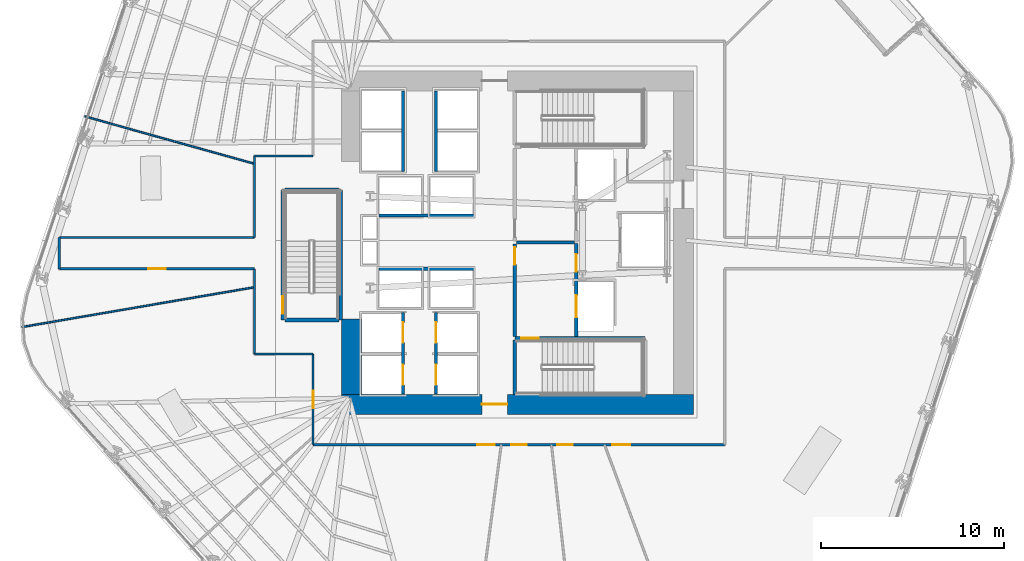
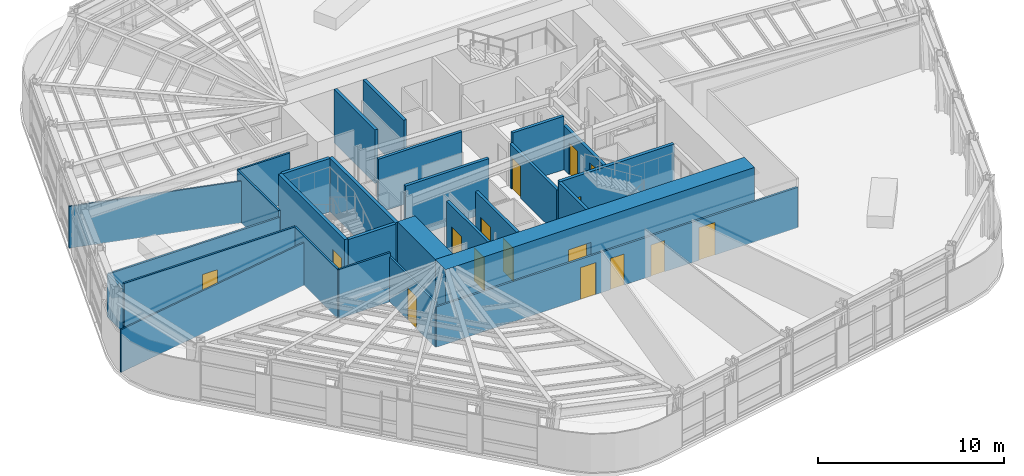
# One storey, part 8 of 17: 28 walls, 16 doors, 16 openings.
"""IFC4 building model written with IfcOpenShell, lengths in metres."""

from ifc_helpers import new_model, si_unit, direction, frame, frame_2d, origin, place, context, subcontext, project, spatial, rectangle, extrude, material, layer, layer_set, type_object, element, fill, save


model = new_model("IFC4")

# Units and contexts
model_context = context("Model", 3, precision=1e-05, world=origin(), true_north=direction((0.0, 1.0)))
body_context = subcontext(model_context, "Body", "Model", "MODEL_VIEW")
ifc_project = project(units=[si_unit("LENGTHUNIT", "METRE"), si_unit("AREAUNIT", "SQUARE_METRE"), si_unit("VOLUMEUNIT", "CUBIC_METRE"), si_unit("PLANEANGLEUNIT", "RADIAN"), si_unit("MASSUNIT", "GRAM", prefix="KILO")], contexts=[model_context])

# Site, building, storey
site_placement = place(None, origin())
site = spatial("IfcSite", under=ifc_project, at=site_placement, CompositionType="ELEMENT")
building_placement = place(site_placement, origin())
building = spatial("IfcBuilding", under=site, at=building_placement, Name="Valkerne Bourse Tower", CompositionType="ELEMENT")
storey_placement = place(building_placement, frame((0.0, 0.0, 73.39990234375)))
storey = spatial("IfcBuildingStorey", under=building, at=storey_placement, Name="L18", CompositionType="ELEMENT", Elevation=73.39990234375)

# Wall, opening, door
ifc_material_1 = material(Name="Concrete C70/85", Category="concrete")
ifc_layer_1 = layer(ifc_material_1, 1.10009765625)
ifc_layer_set_1 = layer_set([ifc_layer_1], Name="Concrete C70/85")
wall_type_1 = type_object("IfcWallType", Name="W-CORE-1100", PredefinedType="SHEAR", material=ifc_layer_set_1)
wall_1_placement = place(storey_placement, frame((37.199951171875, 18.050048828125, 0.0), z_axis=(0.0, 0.0, 1.0), x_axis=(1.0, 0.0, 0.0)))
wall_1 = element("IfcWall", 1, at=wall_1_placement, inside=storey, type_object=wall_type_1, Name="L18 Core Shear Wall SOUTH", PredefinedType="SHEAR", context=body_context, shape_type="SweptSolid", body=[
    extrude(rectangle(XDim=19.199951171875, YDim=1.10009765625, at=frame_2d((9.60009765625, 0.0))), origin(), (0.0, 0.0, 1.0), 3.52001953125),
])
opening_1_placement = place(wall_1_placement, frame((7.64990234375, 0.0, 0.0)))
opening_1 = element("IfcOpeningElement", 2, at=opening_1_placement, cuts=wall_1, Name="Opening D-PL-1400", PredefinedType="OPENING", context=body_context, shape_type="SweptSolid", body=[
    extrude(rectangle(XDim=1.39990234375, YDim=2.14990234375, at=frame_2d((0.699951171875, 1.074951171875))), frame((0.0, 0.56005859375, 0.0), z_axis=(0.0, -1.0, 0.0), x_axis=(1.0, 0.0, 0.0)), (0.0, 0.0, 1.0), 1.1201171875),
])
ifc_material_2 = material(Name="Galvanised Painted Steel", Category="steel")
door_type_1 = type_object("IfcDoorType", Name="DR-PLT-1400", OperationType="DOUBLE_DOOR_SINGLE_SWING", PredefinedType="DOOR", material=ifc_material_2)
door_1_placement = place(opening_1_placement, origin())
door_1 = element("IfcDoor", 3, at=door_1_placement, inside=storey, type_object=door_type_1, Name="L18 South Passenger Lift Hall Fire Door", OperationType="DOUBLE_DOOR_SINGLE_SWING", OverallHeight=2.14990234375, OverallWidth=1.39990234375, PredefinedType="DOOR", context=body_context, shape_type="SweptSolid", body=[
    extrude(rectangle(XDim=1.39990234375, YDim=2.14990234375, at=frame_2d((0.699951171875, 1.074951171875))), frame((0.0, 0.02490234375, 0.0), z_axis=(0.0, -1.0, 0.0), x_axis=(1.0, 0.0, 0.0)), (0.0, 0.0, 1.0), 0.050048828125),
])
fill(opening_1, door_1)

# Wall
wall_2_placement = place(storey_placement, frame((37.75, 18.60009765625, 0.0), z_axis=(0.0, 0.0, 1.0), x_axis=(0.0, 1.0, 0.0)))
element("IfcWall", 4, at=wall_2_placement, inside=storey, type_object=wall_type_1, Name="L18 Core Shear Wall WEST-S", PredefinedType="SHEAR", context=body_context, shape_type="SweptSolid", body=[
    extrude(rectangle(XDim=4.099853515625, YDim=1.10009765625, at=frame_2d((2.0498046875, 0.0))), origin(), (0.0, 0.0, 1.0), 3.52001953125),
])

# Wall, openings, doors
ifc_material_3 = material(Name="Gypsum Board Steel-Stud Partition", Category="steel")
ifc_layer_2 = layer(ifc_material_3, 0.117919921875)
ifc_layer_set_2 = layer_set([ifc_layer_2], Name="Gypsum Board Steel-Stud Partition")
wall_type_2 = type_object("IfcWallType", Name="W-CORR-140", PredefinedType="PARTITIONING", material=ifc_layer_set_2)
wall_3_placement = place(storey_placement, frame((58.10009765625, 15.85009765625, 0.0), z_axis=(0.0, 0.0, 1.0), x_axis=(-1.0, 0.0, 0.0)))
wall_3 = element("IfcWall", 5, at=wall_3_placement, inside=storey, type_object=wall_type_2, Name="L18 Corridor Enclosure Wall", PredefinedType="PARTITIONING", context=body_context, shape_type="SweptSolid", body=[
    extrude(rectangle(XDim=22.4501953125, YDim=0.117919921875, at=frame_2d((11.22509765625, 0.0))), origin(), (0.0, 0.0, 1.0), 2.651611328125),
])
opening_2_placement = place(wall_3_placement, frame((8.27490234375, 0.0, 0.0)))
opening_2 = element("IfcOpeningElement", 6, at=opening_2_placement, cuts=wall_3, Name="Opening D-WC-900", PredefinedType="OPENING", context=body_context, shape_type="SweptSolid", body=[
    extrude(rectangle(XDim=0.860107421875, YDim=2.050048828125, at=frame_2d((0.43017578125, 1.02490234375))), frame((0.0, 0.06884765625, 0.0), z_axis=(0.0, -1.0, 0.0), x_axis=(1.0, 0.0, 0.0)), (0.0, 0.0, 1.0), 0.137939453125),
])
opening_3_placement = place(wall_3_placement, frame((10.794921875, 0.0, 0.0)))
opening_3 = element("IfcOpeningElement", 7, at=opening_3_placement, cuts=wall_3, Name="Opening D-WC-900", PredefinedType="OPENING", context=body_context, shape_type="SweptSolid", body=[
    extrude(rectangle(XDim=0.860107421875, YDim=2.050048828125, at=frame_2d((0.43017578125, 1.02490234375))), frame((0.0, 0.06884765625, 0.0), z_axis=(0.0, -1.0, 0.0), x_axis=(1.0, 0.0, 0.0)), (0.0, 0.0, 1.0), 0.137939453125),
])
opening_4_placement = place(wall_3_placement, frame((12.550048828125, 0.0, 0.0)))
opening_4 = element("IfcOpeningElement", 8, at=opening_4_placement, cuts=wall_3, Name="Opening D-OF-950", PredefinedType="OPENING", context=body_context, shape_type="SweptSolid", body=[
    extrude(rectangle(XDim=0.949951171875, YDim=2.10009765625, at=frame_2d((0.47509765625, 1.050048828125))), frame((0.0, 0.06884765625, 0.0), z_axis=(0.0, -1.0, 0.0), x_axis=(1.0, 0.0, 0.0)), (0.0, 0.0, 1.0), 0.137939453125),
])
opening_5_placement = place(wall_3_placement, frame((5.14501953125, 0.0, 0.0)))
opening_5 = element("IfcOpeningElement", 9, at=opening_5_placement, cuts=wall_3, Name="Opening D-MG-1000", PredefinedType="OPENING", context=body_context, shape_type="SweptSolid", body=[
    extrude(rectangle(XDim=1.0, YDim=2.14990234375, at=frame_2d((0.5, 1.074951171875))), frame((0.0, 0.06884765625, 0.0), z_axis=(0.0, -1.0, 0.0), x_axis=(1.0, 0.0, 0.0)), (0.0, 0.0, 1.0), 0.137939453125),
])
ifc_material_4 = material(Name="Laminated Tempered Safety Glass", Category="glass")
door_type_2 = type_object("IfcDoorType", Name="DR-MTG-1000", OperationType="NOTDEFINED", PredefinedType="DOOR", material=ifc_material_4)
door_2_placement = place(opening_5_placement, origin())
door_2 = element("IfcDoor", 10, at=door_2_placement, inside=storey, type_object=door_type_2, Name="L18 L18 Client Strategy Conference Room 8 Door", OperationType="SINGLE_SWING_RIGHT", OverallHeight=2.14990234375, OverallWidth=1.0, PredefinedType="DOOR", context=body_context, shape_type="SweptSolid", body=[
    extrude(rectangle(XDim=1.0, YDim=2.14990234375, at=frame_2d((0.5, 1.074951171875))), frame((0.0, 0.02490234375, 0.0), z_axis=(0.0, -1.0, 0.0), x_axis=(1.0, 0.0, 0.0)), (0.0, 0.0, 1.0), 0.050048828125),
])
fill(opening_5, door_2)
ifc_material_5 = material(Name="Architectural White Oak Timber", Category="wood")
door_type_3 = type_object("IfcDoorType", Name="DR-OFF-950", OperationType="NOTDEFINED", PredefinedType="DOOR", material=ifc_material_5)
door_3_placement = place(opening_4_placement, origin())
door_3 = element("IfcDoor", 11, at=door_3_placement, inside=storey, type_object=door_type_3, Name="L18 L18 Hospitality Catering Kitchen 6 Door", OperationType="SINGLE_SWING_LEFT", OverallHeight=2.10009765625, OverallWidth=0.949951171875, PredefinedType="DOOR", context=body_context, shape_type="SweptSolid", body=[
    extrude(rectangle(XDim=0.949951171875, YDim=2.10009765625, at=frame_2d((0.47509765625, 1.050048828125))), frame((0.0, 0.02490234375, 0.0), z_axis=(0.0, -1.0, 0.0), x_axis=(1.0, 0.0, 0.0)), (0.0, 0.0, 1.0), 0.050048828125),
])
fill(opening_4, door_3)
door_type_4 = type_object("IfcDoorType", Name="DR-WC-900", OperationType="NOTDEFINED", PredefinedType="DOOR", material=ifc_material_5)
door_4_placement = place(opening_2_placement, origin())
door_4 = element("IfcDoor", 12, at=door_4_placement, inside=storey, type_object=door_type_4, Name="L18 L18 Men Bathroom WC 1 Door", OperationType="SINGLE_SWING_LEFT", OverallHeight=2.050048828125, OverallWidth=0.860107421875, PredefinedType="DOOR", context=body_context, shape_type="SweptSolid", body=[
    extrude(rectangle(XDim=0.860107421875, YDim=2.050048828125, at=frame_2d((0.43017578125, 1.02490234375))), frame((0.0, 0.02490234375, 0.0), z_axis=(0.0, -1.0, 0.0), x_axis=(1.0, 0.0, 0.0)), (0.0, 0.0, 1.0), 0.050048828125),
])
fill(opening_2, door_4)
door_5_placement = place(opening_3_placement, origin())
door_5 = element("IfcDoor", 13, at=door_5_placement, inside=storey, type_object=door_type_4, Name="L18 L18 Women Restroom & Shower WC 2 Door", OperationType="SINGLE_SWING_LEFT", OverallHeight=2.050048828125, OverallWidth=0.860107421875, PredefinedType="DOOR", context=body_context, shape_type="SweptSolid", body=[
    extrude(rectangle(XDim=0.860107421875, YDim=2.050048828125, at=frame_2d((0.43017578125, 1.02490234375))), frame((0.0, 0.02490234375, 0.0), z_axis=(0.0, -1.0, 0.0), x_axis=(1.0, 0.0, 0.0)), (0.0, 0.0, 1.0), 0.050048828125),
])
fill(opening_3, door_5)

# Wall, opening, door
wall_4_placement = place(storey_placement, frame((35.64990234375, 15.85009765625, 0.0), z_axis=(0.0, 0.0, 1.0), x_axis=(0.0, 1.0, 0.0)))
wall_4 = element("IfcWall", 14, at=wall_4_placement, inside=storey, type_object=wall_type_2, Name="L18 Corridor Enclosure Wall", PredefinedType="PARTITIONING", context=body_context, shape_type="SweptSolid", body=[
    extrude(rectangle(XDim=4.949951171875, YDim=0.117919921875, at=frame_2d((2.47509765625, 0.0))), origin(), (0.0, 0.0, 1.0), 2.96142578125),
])
opening_6_placement = place(wall_4_placement, frame((2.0, 0.0, 0.0)))
opening_6 = element("IfcOpeningElement", 15, at=opening_6_placement, cuts=wall_4, Name="Opening D-OF-950", PredefinedType="OPENING", context=body_context, shape_type="SweptSolid", body=[
    extrude(rectangle(XDim=0.949951171875, YDim=2.10009765625, at=frame_2d((0.47509765625, 1.050048828125))), frame((0.0, 0.06884765625, 0.0), z_axis=(0.0, -1.0, 0.0), x_axis=(1.0, 0.0, 0.0)), (0.0, 0.0, 1.0), 0.137939453125),
])
door_6_placement = place(opening_6_placement, origin())
door_6 = element("IfcDoor", 16, at=door_6_placement, inside=storey, type_object=door_type_3, Name="L18 L18 VIP Client Concierge Reception 4 Door", OperationType="SINGLE_SWING_LEFT", OverallHeight=2.10009765625, OverallWidth=0.949951171875, PredefinedType="DOOR", context=body_context, shape_type="SweptSolid", body=[
    extrude(rectangle(XDim=0.949951171875, YDim=2.10009765625, at=frame_2d((0.47509765625, 1.050048828125))), frame((0.0, 0.02490234375, 0.0), z_axis=(0.0, -1.0, 0.0), x_axis=(1.0, 0.0, 0.0)), (0.0, 0.0, 1.0), 0.050048828125),
])
fill(opening_6, door_6)

# Walls
wall_5_placement = place(storey_placement, frame((35.64990234375, 20.800048828125, 0.0), z_axis=(0.0, 0.0, 1.0), x_axis=(-1.0, 0.0, 0.0)))
element("IfcWall", 17, at=wall_5_placement, inside=storey, type_object=wall_type_2, Name="L18 Corridor Enclosure Wall", PredefinedType="PARTITIONING", context=body_context, shape_type="SweptSolid", body=[
    extrude(rectangle(XDim=3.199951171875, YDim=0.117919921875, at=frame_2d((1.60009765625, 0.0))), origin(), (0.0, 0.0, 1.0), 3.22021484375),
])
wall_6_placement = place(storey_placement, frame((32.449951171875, 20.800048828125, 0.0), z_axis=(0.0, 0.0, 1.0), x_axis=(0.0, 1.0, 0.0)))
element("IfcWall", 18, at=wall_6_placement, inside=storey, type_object=wall_type_2, Name="L18 Corridor Enclosure Wall", PredefinedType="PARTITIONING", context=body_context, shape_type="SweptSolid", body=[
    extrude(rectangle(XDim=4.64990234375, YDim=0.117919921875, at=frame_2d((2.324951171875, 0.0))), origin(), (0.0, 0.0, 1.0), 3.22021484375),
])

# Wall, opening, door
wall_7_placement = place(storey_placement, frame((32.449951171875, 25.449951171875, 0.0), z_axis=(0.0, 0.0, 1.0), x_axis=(-1.0, 0.0, 0.0)))
wall_7 = element("IfcWall", 19, at=wall_7_placement, inside=storey, type_object=wall_type_2, Name="L18 Corridor Enclosure Wall", PredefinedType="PARTITIONING", context=body_context, shape_type="SweptSolid", body=[
    extrude(rectangle(XDim=10.64990234375, YDim=0.117919921875, at=frame_2d((5.324951171875, 0.0))), origin(), (0.0, 0.0, 1.0), 3.22021484375),
])
opening_7_placement = place(wall_7_placement, frame((4.85009765625, 0.0, 0.0)))
opening_7 = element("IfcOpeningElement", 20, at=opening_7_placement, cuts=wall_7, Name="Opening D-OF-950", PredefinedType="OPENING", context=body_context, shape_type="SweptSolid", body=[
    extrude(rectangle(XDim=0.949951171875, YDim=2.10009765625, at=frame_2d((0.47509765625, 1.050048828125))), frame((0.0, 0.06884765625, 0.0), z_axis=(0.0, -1.0, 0.0), x_axis=(1.0, 0.0, 0.0)), (0.0, 0.0, 1.0), 0.137939453125),
])
door_7_placement = place(opening_7_placement, origin())
door_7 = element("IfcDoor", 21, at=door_7_placement, inside=storey, type_object=door_type_3, Name="L18 L18 VIP Client Concierge Reception 3 Door", OperationType="SINGLE_SWING_LEFT", OverallHeight=2.10009765625, OverallWidth=0.949951171875, PredefinedType="DOOR", context=body_context, shape_type="SweptSolid", body=[
    extrude(rectangle(XDim=0.949951171875, YDim=2.10009765625, at=frame_2d((0.47509765625, 1.050048828125))), frame((0.0, 0.02490234375, 0.0), z_axis=(0.0, -1.0, 0.0), x_axis=(1.0, 0.0, 0.0)), (0.0, 0.0, 1.0), 0.050048828125),
])
fill(opening_7, door_7)

# Walls
wall_8_placement = place(storey_placement, frame((21.800048828125, 25.449951171875, 0.0), z_axis=(0.0, 0.0, 1.0), x_axis=(0.0, 1.0, 0.0)))
element("IfcWall", 22, at=wall_8_placement, inside=storey, type_object=wall_type_2, Name="L18 Corridor Enclosure Wall", PredefinedType="PARTITIONING", context=body_context, shape_type="SweptSolid", body=[
    extrude(rectangle(XDim=1.699951171875, YDim=0.117919921875, at=frame_2d((0.85009765625, 0.0))), origin(), (0.0, 0.0, 1.0), 2.803955078125),
])
wall_9_placement = place(storey_placement, frame((21.800048828125, 27.14990234375, 0.0), z_axis=(0.0, 0.0, 1.0), x_axis=(1.0, 0.0, 0.0)))
element("IfcWall", 23, at=wall_9_placement, inside=storey, type_object=wall_type_2, Name="L18 Corridor Enclosure Wall", PredefinedType="PARTITIONING", context=body_context, shape_type="SweptSolid", body=[
    extrude(rectangle(XDim=10.64990234375, YDim=0.117919921875, at=frame_2d((5.324951171875, 0.0))), origin(), (0.0, 0.0, 1.0), 2.803955078125),
])
wall_10_placement = place(storey_placement, frame((32.449951171875, 27.14990234375, 0.0), z_axis=(0.0, 0.0, 1.0), x_axis=(0.0, 1.0, 0.0)))
element("IfcWall", 24, at=wall_10_placement, inside=storey, type_object=wall_type_2, Name="L18 Corridor Enclosure Wall", PredefinedType="PARTITIONING", context=body_context, shape_type="SweptSolid", body=[
    extrude(rectangle(XDim=4.4501953125, YDim=0.117919921875, at=frame_2d((2.22509765625, 0.0))), origin(), (0.0, 0.0, 1.0), 3.22021484375),
])
wall_11_placement = place(storey_placement, frame((32.449951171875, 31.60009765625, 0.0), z_axis=(0.0, 0.0, 1.0), x_axis=(1.0, 0.0, 0.0)))
element("IfcWall", 25, at=wall_11_placement, inside=storey, type_object=wall_type_2, Name="L18 Corridor Enclosure Wall", PredefinedType="PARTITIONING", context=body_context, shape_type="SweptSolid", body=[
    extrude(rectangle(XDim=3.199951171875, YDim=0.117919921875, at=frame_2d((1.60009765625, 0.0))), origin(), (0.0, 0.0, 1.0), 3.22021484375),
])
ifc_material_6 = material(Name="Gypsum Fire-Rated Shaftwall", Category="gypsum")
ifc_layer_3 = layer(ifc_material_6, 0.179931640625)
ifc_layer_set_3 = layer_set([ifc_layer_3], Name="Gypsum Fire-Rated Shaftwall")
wall_type_3 = type_object("IfcWallType", Name="W-FSAE-180", PredefinedType="PARTITIONING", material=ifc_layer_set_3)
wall_12_placement = place(storey_placement, frame((46.739990234375, 26.8798828125, 0.0), z_axis=(0.0, 0.0, 1.0), x_axis=(1.0, 0.0, 0.0)))
element("IfcWall", 26, at=wall_12_placement, inside=storey, type_object=wall_type_3, Name="L18 FSAE-1/2 Lobby Dividing Fire Wall", PredefinedType="PARTITIONING", context=body_context, shape_type="SweptSolid", body=[
    extrude(rectangle(XDim=3.169921875, YDim=0.179931640625, at=frame_2d((1.5849609375, 0.0))), origin(), (0.0, 0.0, 1.0), 3.52001953125),
])

# Wall, opening, door
wall_13_placement = place(storey_placement, frame((46.64990234375, 21.75, 0.0), z_axis=(0.0, 0.0, 1.0), x_axis=(0.0, 1.0, 0.0)))
wall_13 = element("IfcWall", 27, at=wall_13_placement, inside=storey, type_object=wall_type_3, Name="L18 FSAE-1 Lobby West Fire Wall", PredefinedType="PARTITIONING", context=body_context, shape_type="SweptSolid", body=[
    extrude(rectangle(XDim=5.050048828125, YDim=0.179931640625, at=frame_2d((2.52490234375, 0.0))), origin(), (0.0, 0.0, 1.0), 2.898193359375),
])
opening_8_placement = place(wall_13_placement, frame((3.919921875, 0.0, 0.0)))
opening_8 = element("IfcOpeningElement", 28, at=opening_8_placement, cuts=wall_13, Name="Opening D-FS-950", PredefinedType="OPENING", context=body_context, shape_type="SweptSolid", body=[
    extrude(rectangle(XDim=0.949951171875, YDim=2.10009765625, at=frame_2d((0.47509765625, 1.050048828125))), frame((0.0, 0.099853515625, 0.0), z_axis=(0.0, -1.0, 0.0), x_axis=(1.0, 0.0, 0.0)), (0.0, 0.0, 1.0), 0.199951171875),
])
door_type_5 = type_object("IfcDoorType", Name="DR-FSAE-950", OperationType="NOTDEFINED", PredefinedType="DOOR", material=ifc_material_2)
door_8_placement = place(opening_8_placement, origin())
door_8 = element("IfcDoor", 29, at=door_8_placement, inside=storey, type_object=door_type_5, Name="L18 FSAE-1 Hall Link Fire Door", OperationType="SINGLE_SWING_RIGHT", OverallHeight=2.10009765625, OverallWidth=0.949951171875, PredefinedType="DOOR", context=body_context, shape_type="SweptSolid", body=[
    extrude(rectangle(XDim=0.949951171875, YDim=2.10009765625, at=frame_2d((0.47509765625, 1.050048828125))), frame((0.0, 0.02490234375, 0.0), z_axis=(0.0, -1.0, 0.0), x_axis=(1.0, 0.0, 0.0)), (0.0, 0.0, 1.0), 0.050048828125),
])
fill(opening_8, door_8)

# Wall, openings, doors
wall_14_placement = place(storey_placement, frame((50.0, 21.75, 0.0), z_axis=(0.0, 0.0, 1.0), x_axis=(0.0, 1.0, 0.0)))
wall_14 = element("IfcWall", 30, at=wall_14_placement, inside=storey, type_object=wall_type_3, Name="L18 FSAE-1 Lobby & Shaft Front Wall", PredefinedType="PARTITIONING", context=body_context, shape_type="SweptSolid", body=[
    extrude(rectangle(XDim=5.090087890625, YDim=0.179931640625, at=frame_2d((2.544921875, 0.0))), origin(), (0.0, 0.0, 1.0), 2.898193359375),
])
opening_9_placement = place(wall_14_placement, frame((1.050048828125, 0.0, 0.0)))
opening_9 = element("IfcOpeningElement", 31, at=opening_9_placement, cuts=wall_14, Name="Opening LD-1200", PredefinedType="OPENING", context=body_context, shape_type="SweptSolid", body=[
    extrude(rectangle(XDim=1.199951171875, YDim=2.14990234375, at=frame_2d((0.60009765625, 1.074951171875))), frame((0.0, 0.099853515625, 0.0), z_axis=(0.0, -1.0, 0.0), x_axis=(1.0, 0.0, 0.0)), (0.0, 0.0, 1.0), 0.199951171875),
])
opening_10_placement = place(wall_14_placement, frame((3.550048828125, 0.0, 0.0)))
opening_10 = element("IfcOpeningElement", 32, at=opening_10_placement, cuts=wall_14, Name="Opening D-FS-950", PredefinedType="OPENING", context=body_context, shape_type="SweptSolid", body=[
    extrude(rectangle(XDim=0.949951171875, YDim=2.10009765625, at=frame_2d((0.47509765625, 1.050048828125))), frame((0.0, 0.099853515625, 0.0), z_axis=(0.0, -1.0, 0.0), x_axis=(1.0, 0.0, 0.0)), (0.0, 0.0, 1.0), 0.199951171875),
])
door_9_placement = place(opening_10_placement, origin())
door_9 = element("IfcDoor", 33, at=door_9_placement, inside=storey, type_object=door_type_5, Name="L18 FSAE-1 Lobby Corridor Fire Door", OperationType="SINGLE_SWING_RIGHT", OverallHeight=2.10009765625, OverallWidth=0.949951171875, PredefinedType="DOOR", context=body_context, shape_type="SweptSolid", body=[
    extrude(rectangle(XDim=0.949951171875, YDim=2.10009765625, at=frame_2d((0.47509765625, 1.050048828125))), frame((0.0, 0.02490234375, 0.0), z_axis=(0.0, -1.0, 0.0), x_axis=(1.0, 0.0, 0.0)), (0.0, 0.0, 1.0), 0.050048828125),
])
fill(opening_10, door_9)
ifc_material_7 = material(Name="Stainless Steel AISI 316", Category="steel")
door_type_6 = type_object("IfcDoorType", Name="DR-LIFT-1200", OperationType="DOUBLE_DOOR_SLIDING", PredefinedType="DOOR", material=ifc_material_7)
door_10_placement = place(opening_9_placement, origin())
door_10 = element("IfcDoor", 34, at=door_10_placement, inside=storey, type_object=door_type_6, Name="L18 FSAE-1 Firefighting Lift Landing Door", OperationType="DOUBLE_DOOR_SLIDING", OverallHeight=2.14990234375, OverallWidth=1.199951171875, PredefinedType="DOOR", context=body_context, shape_type="SweptSolid", body=[
    extrude(rectangle(XDim=1.199951171875, YDim=2.14990234375, at=frame_2d((0.60009765625, 1.074951171875))), frame((0.0, 0.02490234375, 0.0), z_axis=(0.0, -1.0, 0.0), x_axis=(1.0, 0.0, 0.0)), (0.0, 0.0, 1.0), 0.050048828125),
])
fill(opening_9, door_10)

ifc_material_8 = material(Name="CMU Blockwork Masonry 200mm", Category="masonry")
ifc_layer_4 = layer(ifc_material_8, 0.179931640625)
ifc_layer_set_4 = layer_set([ifc_layer_4], Name="CMU Blockwork Masonry 200mm")
wall_type_4 = type_object("IfcWallType", Name="W-LFT-180", PredefinedType="SOLIDWALL", material=ifc_layer_set_4)
wall_15_placement = place(storey_placement, frame((40.550048828125, 18.6201171875, 0.0), z_axis=(0.0, 0.0, 1.0), x_axis=(0.0, 1.0, 0.0)))
wall_15 = element("IfcWall", 35, at=wall_15_placement, inside=storey, type_object=wall_type_4, Name="L18 Low-Zone West Cars Front Wall", PredefinedType="SOLIDWALL", context=body_context, shape_type="SweptSolid", body=[
    extrude(rectangle(XDim=4.429931640625, YDim=0.179931640625, at=frame_2d((2.21484375, 0.0))), origin(), (0.0, 0.0, 1.0), 3.52001953125),
])
opening_11_placement = place(wall_15_placement, frame((0.5, 0.0, 0.0)))
opening_11 = element("IfcOpeningElement", 36, at=opening_11_placement, cuts=wall_15, Name="Opening LD-1100", PredefinedType="OPENING", context=body_context, shape_type="SweptSolid", body=[
    extrude(rectangle(XDim=1.10009765625, YDim=2.14990234375, at=frame_2d((0.550048828125, 1.074951171875))), frame((0.0, 0.099853515625, 0.0), z_axis=(0.0, -1.0, 0.0), x_axis=(1.0, 0.0, 0.0)), (0.0, 0.0, 1.0), 0.199951171875),
])
opening_12_placement = place(wall_15_placement, frame((2.800048828125, 0.0, 0.0)))
opening_12 = element("IfcOpeningElement", 37, at=opening_12_placement, cuts=wall_15, Name="Opening LD-1100", PredefinedType="OPENING", context=body_context, shape_type="SweptSolid", body=[
    extrude(rectangle(XDim=1.10009765625, YDim=2.14990234375, at=frame_2d((0.550048828125, 1.074951171875))), frame((0.0, 0.099853515625, 0.0), z_axis=(0.0, -1.0, 0.0), x_axis=(1.0, 0.0, 0.0)), (0.0, 0.0, 1.0), 0.199951171875),
])
door_type_7 = type_object("IfcDoorType", Name="DR-LIFT-1100", OperationType="DOUBLE_DOOR_SLIDING", PredefinedType="DOOR", material=ifc_material_7)
door_11_placement = place(opening_11_placement, origin())
door_11 = element("IfcDoor", 38, at=door_11_placement, inside=storey, type_object=door_type_7, Name="L18 Passenger Lift PL-L1 Sliding Landing Door", OperationType="DOUBLE_DOOR_SLIDING", OverallHeight=2.14990234375, OverallWidth=1.10009765625, PredefinedType="DOOR", context=body_context, shape_type="SweptSolid", body=[
    extrude(rectangle(XDim=1.10009765625, YDim=2.14990234375, at=frame_2d((0.550048828125, 1.074951171875))), frame((0.0, 0.02490234375, 0.0), z_axis=(0.0, -1.0, 0.0), x_axis=(1.0, 0.0, 0.0)), (0.0, 0.0, 1.0), 0.050048828125),
])
fill(opening_11, door_11)
door_12_placement = place(opening_12_placement, origin())
door_12 = element("IfcDoor", 39, at=door_12_placement, inside=storey, type_object=door_type_7, Name="L18 Passenger Lift PL-L2 Sliding Landing Door", OperationType="DOUBLE_DOOR_SLIDING", OverallHeight=2.14990234375, OverallWidth=1.10009765625, PredefinedType="DOOR", context=body_context, shape_type="SweptSolid", body=[
    extrude(rectangle(XDim=1.10009765625, YDim=2.14990234375, at=frame_2d((0.550048828125, 1.074951171875))), frame((0.0, 0.02490234375, 0.0), z_axis=(0.0, -1.0, 0.0), x_axis=(1.0, 0.0, 0.0)), (0.0, 0.0, 1.0), 0.050048828125),
])
fill(opening_12, door_12)

wall_16_placement = place(storey_placement, frame((42.35009765625, 18.6201171875, 0.0), z_axis=(0.0, 0.0, 1.0), x_axis=(0.0, 1.0, 0.0)))
wall_16 = element("IfcWall", 40, at=wall_16_placement, inside=storey, type_object=wall_type_4, Name="L18 Low-Zone East Cars Front Wall", PredefinedType="SOLIDWALL", context=body_context, shape_type="SweptSolid", body=[
    extrude(rectangle(XDim=4.429931640625, YDim=0.179931640625, at=frame_2d((2.21484375, 0.0))), origin(), (0.0, 0.0, 1.0), 3.52001953125),
])
opening_13_placement = place(wall_16_placement, frame((0.5, 0.0, 0.0)))
opening_13 = element("IfcOpeningElement", 41, at=opening_13_placement, cuts=wall_16, Name="Opening LD-1100", PredefinedType="OPENING", context=body_context, shape_type="SweptSolid", body=[
    extrude(rectangle(XDim=1.10009765625, YDim=2.14990234375, at=frame_2d((0.550048828125, 1.074951171875))), frame((0.0, 0.099853515625, 0.0), z_axis=(0.0, -1.0, 0.0), x_axis=(1.0, 0.0, 0.0)), (0.0, 0.0, 1.0), 0.199951171875),
])
opening_14_placement = place(wall_16_placement, frame((2.800048828125, 0.0, 0.0)))
opening_14 = element("IfcOpeningElement", 42, at=opening_14_placement, cuts=wall_16, Name="Opening LD-1100", PredefinedType="OPENING", context=body_context, shape_type="SweptSolid", body=[
    extrude(rectangle(XDim=1.10009765625, YDim=2.14990234375, at=frame_2d((0.550048828125, 1.074951171875))), frame((0.0, 0.099853515625, 0.0), z_axis=(0.0, -1.0, 0.0), x_axis=(1.0, 0.0, 0.0)), (0.0, 0.0, 1.0), 0.199951171875),
])
door_13_placement = place(opening_13_placement, origin())
door_13 = element("IfcDoor", 43, at=door_13_placement, inside=storey, type_object=door_type_7, Name="L18 Passenger Lift PL-L3 Sliding Landing Door", OperationType="DOUBLE_DOOR_SLIDING", OverallHeight=2.14990234375, OverallWidth=1.10009765625, PredefinedType="DOOR", context=body_context, shape_type="SweptSolid", body=[
    extrude(rectangle(XDim=1.10009765625, YDim=2.14990234375, at=frame_2d((0.550048828125, 1.074951171875))), frame((0.0, 0.02490234375, 0.0), z_axis=(0.0, -1.0, 0.0), x_axis=(1.0, 0.0, 0.0)), (0.0, 0.0, 1.0), 0.050048828125),
])
fill(opening_13, door_13)
door_14_placement = place(opening_14_placement, origin())
door_14 = element("IfcDoor", 44, at=door_14_placement, inside=storey, type_object=door_type_7, Name="L18 Passenger Lift PL-L4 Sliding Landing Door", OperationType="DOUBLE_DOOR_SLIDING", OverallHeight=2.14990234375, OverallWidth=1.10009765625, PredefinedType="DOOR", context=body_context, shape_type="SweptSolid", body=[
    extrude(rectangle(XDim=1.10009765625, YDim=2.14990234375, at=frame_2d((0.550048828125, 1.074951171875))), frame((0.0, 0.02490234375, 0.0), z_axis=(0.0, -1.0, 0.0), x_axis=(1.0, 0.0, 0.0)), (0.0, 0.0, 1.0), 0.050048828125),
])
fill(opening_14, door_14)

# Walls
for number, where, z_axis, x_axis, name in (
    (45, (40.550048828125, 30.75, 0.0), (0.0, 0.0, 1.0), (0.0, 1.0, 0.0), "L18 Mid-Zone West Cars Front Wall"),
    (46, (42.35009765625, 30.75, 0.0), (0.0, 0.0, 1.0), (0.0, 1.0, 0.0), "L18 Mid-Zone East Cars Front Wall"),
):
    element("IfcWall", number, at=place(storey_placement, frame(where, z_axis=z_axis, x_axis=x_axis)), inside=storey, type_object=wall_type_4, Name=name, PredefinedType="SOLIDWALL", context=body_context, shape_type="SweptSolid", body=[
        extrude(rectangle(XDim=4.39990234375, YDim=0.179931640625, at=frame_2d((2.199951171875, 0.0))), origin(), (0.0, 0.0, 1.0), 3.52001953125),
    ])
for number, where, z_axis, x_axis, name in (
    (47, (39.25, 25.449951171875, 0.0), (0.0, 0.0, 1.0), (1.0, 0.0, 0.0), "L18 High-Zone South Cars Front Wall"),
    (48, (39.25, 28.35009765625, 0.0), (0.0, 0.0, 1.0), (1.0, 0.0, 0.0), "L18 High-Zone North Cars Front Wall"),
):
    element("IfcWall", number, at=place(storey_placement, frame(where, z_axis=z_axis, x_axis=x_axis)), inside=storey, type_object=wall_type_4, Name=name, PredefinedType="SOLIDWALL", context=body_context, shape_type="SweptSolid", body=[
        extrude(rectangle(XDim=5.199951171875, YDim=0.179931640625, at=frame_2d((2.60009765625, 0.0))), origin(), (0.0, 0.0, 1.0), 3.52001953125),
    ])
ifc_layer_5 = layer(ifc_material_3, 0.092041015625)
ifc_layer_set_5 = layer_set([ifc_layer_5], Name="Gypsum Board Steel-Stud Partition")
wall_type_5 = type_object("IfcWallType", Name="W-PART-115", PredefinedType="PARTITIONING", material=ifc_layer_set_5)
wall_17_placement = place(storey_placement, frame((32.445068359375, 31.177490234375, 0.0), z_axis=(0.0, 0.0, 1.0), x_axis=(-0.963128020789, 0.269043519846, 0.0)))
element("IfcWall", 49, at=wall_17_placement, inside=storey, type_object=wall_type_5, Name="L18 Suite Partition P06", PredefinedType="PARTITIONING", context=body_context, shape_type="SweptSolid", body=[
    extrude(rectangle(XDim=9.606201171875, YDim=0.092041015625, at=frame_2d((4.80322265625, 0.0))), origin(), (0.0, 0.0, 1.0), 2.740478515625),
])
wall_18_placement = place(storey_placement, frame((32.445068359375, 24.440673828125, 0.0), z_axis=(0.0, 0.0, 1.0), x_axis=(-0.985670330286, -0.168683134883, 0.0)))
element("IfcWall", 50, at=wall_18_placement, inside=storey, type_object=wall_type_5, Name="L18 Suite Partition P07", PredefinedType="PARTITIONING", context=body_context, shape_type="SweptSolid", body=[
    extrude(rectangle(XDim=12.8681640625, YDim=0.092041015625, at=frame_2d((6.43408203125, 0.0))), origin(), (0.0, 0.0, 1.0), 2.803955078125),
])

# Wall, opening, door
ifc_material_9 = material(Name="Concrete C40/50", Category="concrete")
ifc_layer_6 = layer(ifc_material_9, 0.199951171875)
ifc_layer_set_6 = layer_set([ifc_layer_6], Name="Concrete C40/50")
wall_type_6 = type_object("IfcWallType", Name="W-SHF-200", PredefinedType="SHEAR", material=ifc_layer_set_6)
wall_19_placement = place(storey_placement, frame((46.64990234375, 21.64990234375, 0.0), z_axis=(0.0, 0.0, 1.0), x_axis=(1.0, 0.0, 0.0)))
wall_19 = element("IfcWall", 51, at=wall_19_placement, inside=storey, type_object=wall_type_6, Name="L18 Exit Stair ST-1 Structural Shaft Wall North", PredefinedType="SHEAR", context=body_context, shape_type="SweptSolid", body=[
    extrude(rectangle(XDim=7.10009765625, YDim=0.199951171875, at=frame_2d((3.550048828125, 0.0))), origin(), (0.0, 0.0, 1.0), 3.52001953125),
])
opening_15_placement = place(wall_19_placement, frame((0.35009765625, 0.0, 0.0)))
opening_15 = element("IfcOpeningElement", 52, at=opening_15_placement, cuts=wall_19, Name="Opening D-ST-950", PredefinedType="OPENING", context=body_context, shape_type="SweptSolid", body=[
    extrude(rectangle(XDim=0.949951171875, YDim=2.10009765625, at=frame_2d((0.47509765625, 1.050048828125))), frame((0.0, 0.10986328125, 0.0), z_axis=(0.0, -1.0, 0.0), x_axis=(1.0, 0.0, 0.0)), (0.0, 0.0, 1.0), 0.219970703125),
])
door_type_8 = type_object("IfcDoorType", Name="DR-STAIR-950", OperationType="NOTDEFINED", PredefinedType="DOOR", material=ifc_material_2)
door_15_placement = place(opening_15_placement, origin())
door_15 = element("IfcDoor", 53, at=door_15_placement, inside=storey, type_object=door_type_8, Name="L18 Exit Stair ST-1 Door", OperationType="SINGLE_SWING_RIGHT", OverallHeight=2.10009765625, OverallWidth=0.949951171875, PredefinedType="DOOR", context=body_context, shape_type="SweptSolid", body=[
    extrude(rectangle(XDim=0.949951171875, YDim=2.10009765625, at=frame_2d((0.47509765625, 1.050048828125))), frame((0.0, 0.02490234375, 0.0), z_axis=(0.0, -1.0, 0.0), x_axis=(1.0, 0.0, 0.0)), (0.0, 0.0, 1.0), 0.050048828125),
])
fill(opening_15, door_15)

# Wall
wall_20_placement = place(storey_placement, frame((46.64990234375, 18.60009765625, 0.0), z_axis=(0.0, 0.0, 1.0), x_axis=(0.0, 1.0, 0.0)))
element("IfcWall", 54, at=wall_20_placement, inside=storey, type_object=wall_type_6, Name="L18 Exit Stair ST-1 Structural Shaft Wall West", PredefinedType="SHEAR", context=body_context, shape_type="SweptSolid", body=[
    extrude(rectangle(XDim=2.949951171875, YDim=0.199951171875, at=frame_2d((1.47509765625, 0.0))), origin(), (0.0, 0.0, 1.0), 3.52001953125),
])

# Wall, opening, door
wall_21_placement = place(storey_placement, frame((34.0, 22.64990234375, 0.0), z_axis=(0.0, 0.0, 1.0), x_axis=(0.0, 1.0, 0.0)))
wall_21 = element("IfcWall", 55, at=wall_21_placement, inside=storey, type_object=wall_type_6, Name="L18 Exit Stair ST-3 Structural Shaft Wall West", PredefinedType="SHEAR", context=body_context, shape_type="SweptSolid", body=[
    extrude(rectangle(XDim=7.10009765625, YDim=0.199951171875, at=frame_2d((3.550048828125, 0.0))), origin(), (0.0, 0.0, 1.0), 3.52001953125),
])
opening_16_placement = place(wall_21_placement, frame((0.35009765625, 0.0, 0.0)))
opening_16 = element("IfcOpeningElement", 56, at=opening_16_placement, cuts=wall_21, Name="Opening D-ST-950", PredefinedType="OPENING", context=body_context, shape_type="SweptSolid", body=[
    extrude(rectangle(XDim=0.949951171875, YDim=2.10009765625, at=frame_2d((0.47509765625, 1.050048828125))), frame((0.0, 0.10986328125, 0.0), z_axis=(0.0, -1.0, 0.0), x_axis=(1.0, 0.0, 0.0)), (0.0, 0.0, 1.0), 0.219970703125),
])
door_16_placement = place(opening_16_placement, origin())
door_16 = element("IfcDoor", 57, at=door_16_placement, inside=storey, type_object=door_type_8, Name="L18 Exit Stair ST-3 Door", OperationType="SINGLE_SWING_RIGHT", OverallHeight=2.10009765625, OverallWidth=0.949951171875, PredefinedType="DOOR", context=body_context, shape_type="SweptSolid", body=[
    extrude(rectangle(XDim=0.949951171875, YDim=2.10009765625, at=frame_2d((0.47509765625, 1.050048828125))), frame((0.0, 0.02490234375, 0.0), z_axis=(0.0, -1.0, 0.0), x_axis=(1.0, 0.0, 0.0)), (0.0, 0.0, 1.0), 0.050048828125),
])
fill(opening_16, door_16)

# Walls
for number, where, z_axis, x_axis, name in (
    (58, (34.10009765625, 22.64990234375, 0.0), (0.0, 0.0, 1.0), (1.0, 0.0, 0.0), "L18 Exit Stair ST-3 Structural Shaft Wall South"),
    (59, (34.10009765625, 29.75, 0.0), (0.0, 0.0, 1.0), (1.0, 0.0, 0.0), "L18 Exit Stair ST-3 Structural Shaft Wall North"),
):
    element("IfcWall", number, at=place(storey_placement, frame(where, z_axis=z_axis, x_axis=x_axis)), inside=storey, type_object=wall_type_6, Name=name, PredefinedType="SHEAR", context=body_context, shape_type="SweptSolid", body=[
        extrude(rectangle(XDim=2.949951171875, YDim=0.199951171875, at=frame_2d((1.47509765625, 0.0))), origin(), (0.0, 0.0, 1.0), 3.52001953125),
    ])
wall_22_placement = place(storey_placement, frame((37.14990234375, 22.64990234375, 0.0), z_axis=(0.0, 0.0, 1.0), x_axis=(0.0, 1.0, 0.0)))
element("IfcWall", 60, at=wall_22_placement, inside=storey, type_object=wall_type_6, Name="L18 Exit Stair ST-3 Structural Shaft Wall East", PredefinedType="SHEAR", context=body_context, shape_type="SweptSolid", body=[
    extrude(rectangle(XDim=7.10009765625, YDim=0.199951171875, at=frame_2d((3.550048828125, 0.0))), origin(), (0.0, 0.0, 1.0), 3.52001953125),
])

save(model, "model.ifc")
